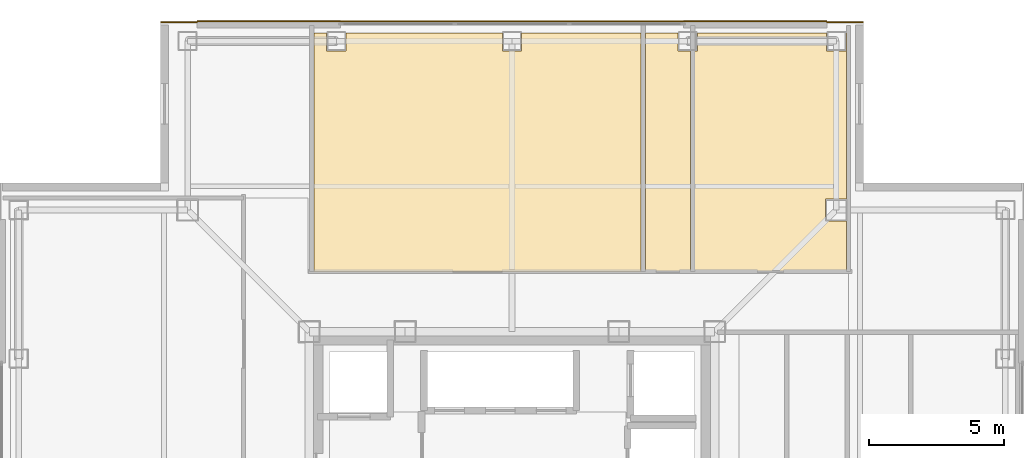
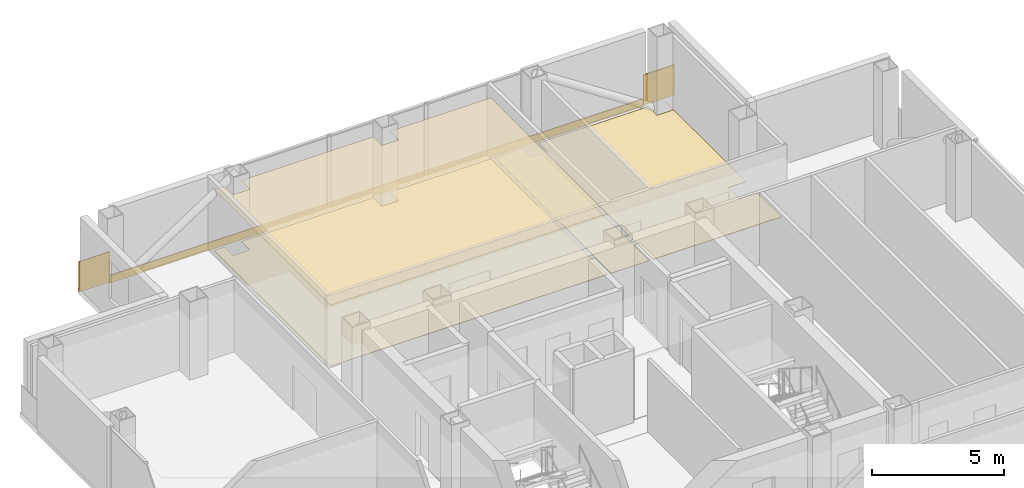
# One storey, part 16 of 16: 7 coverings.
"""IFC4 building model written with IfcOpenShell, lengths in metres."""

import ifcopenshell
import ifcopenshell.guid

model = None  # the IFC model being written
_history = None  # IfcOwnerHistory: only IFC2X3 demands one
_inside = {}  # id of a spatial element -> (the spatial element, [elements in it])
_under = {}  # id of a project, library or spatial element -> (it, [spatial elements below it])
_declared = {}  # id of a project -> (the project, [libraries it declares])
_typed = {}  # id of a type object -> (the type object, [elements of that type])
_made_of = {}  # id of a material, layer set ... -> (it, [elements and type objects made of it])


def new_model(schema):
    """Start an empty IFC model of exactly this schema.

    Asked for "IFC4X3", IfcOpenShell would pick the latest addendum, in which some entities
    have other attributes; the version numbers below select the first issue.
    IFC2X3 requires an IfcOwnerHistory on every rooted entity: one is made here for all.
    """
    global model, _history
    if schema == "IFC4X3":
        model = ifcopenshell.file(schema_version=(4, 3, 0, 0))
    else:
        model = ifcopenshell.file(schema=schema)
    _inside.clear()
    _under.clear()
    _declared.clear()
    _typed.clear()
    _made_of.clear()
    _history = None
    if model.schema == "IFC2X3":
        org = make("IfcOrganization", Name="unknown")
        user = make(
            "IfcPersonAndOrganization",
            ThePerson=make("IfcPerson", FamilyName="unknown"),
            TheOrganization=org,
        )
        app = make(
            "IfcApplication",
            ApplicationDeveloper=org,
            Version="unknown",
            ApplicationFullName="unknown",
            ApplicationIdentifier="unknown",
        )
        _history = make(
            "IfcOwnerHistory",
            OwningUser=user,
            OwningApplication=app,
            ChangeAction="ADDED",
            CreationDate=0,
        )
    return model


def make(cls, **values):
    """One entity of the class cls with the attributes given. An attribute that is None is left unset."""
    return model.create_entity(
        cls, **{name: value for name, value in values.items() if value is not None}
    )


def rooted(cls, **values):
    """An entity with a GlobalId (a new one), such as an element, a storey or a relation."""
    return make(cls, GlobalId=ifcopenshell.guid.new(), OwnerHistory=_history, **values)


def si_unit(unit_type, name, prefix=None):
    """IfcSIUnit, for example si_unit("LENGTHUNIT", "METRE", prefix="MILLI")."""
    return make("IfcSIUnit", UnitType=unit_type, Prefix=prefix, Name=name)


def assignment(units):
    """IfcUnitAssignment: the units of a project."""
    return None if units is None else make("IfcUnitAssignment", Units=units)


def point(xyz):
    """IfcCartesianPoint."""
    return None if xyz is None else make("IfcCartesianPoint", Coordinates=xyz)


def direction(xyz):
    """IfcDirection."""
    return None if xyz is None else make("IfcDirection", DirectionRatios=xyz)


def frame(location, z_axis=None, x_axis=None):
    """IfcAxis2Placement3D, a coordinate frame: its origin and axes. An axis left out is left unset."""
    return make(
        "IfcAxis2Placement3D",
        Location=point(location),
        Axis=direction(z_axis),
        RefDirection=direction(x_axis),
    )


def frame_2d(location, x_axis=None):
    """IfcAxis2Placement2D, a coordinate frame in the plane: its origin and x axis."""
    return make(
        "IfcAxis2Placement2D", Location=point(location), RefDirection=direction(x_axis)
    )


def origin():
    """The frame at (0, 0, 0) with its axes left unset."""
    return frame((0.0, 0.0, 0.0))


def place(relative_to, where):
    """IfcLocalPlacement: puts the frame where relative to a parent placement (None: the world)."""
    return make(
        "IfcLocalPlacement", PlacementRelTo=relative_to, RelativePlacement=where
    )


def context(
    kind, dimensions, precision=None, world=None, true_north=None, identifier=None
):
    """IfcGeometricRepresentationContext, for example the 3D "Model" context."""
    return make(
        "IfcGeometricRepresentationContext",
        ContextIdentifier=identifier,
        ContextType=kind,
        CoordinateSpaceDimension=dimensions,
        Precision=precision,
        WorldCoordinateSystem=world,
        TrueNorth=true_north,
    )


def subcontext(parent, identifier, kind, view, scale=None):
    """IfcGeometricRepresentationSubContext, for example "Body" below "Model"."""
    return make(
        "IfcGeometricRepresentationSubContext",
        ContextIdentifier=identifier,
        ContextType=kind,
        ParentContext=parent,
        TargetScale=scale,
        TargetView=view,
    )


def project(units=None, contexts=None):
    """IfcProject with its units and contexts."""
    return rooted(
        "IfcProject",
        Name="project",
        RepresentationContexts=contexts,
        UnitsInContext=assignment(units),
    )


def spatial(cls, under=None, at=None, **own):
    """A site, building, storey or space (cls), placed at a placement, below another one or the project."""
    s = rooted(cls, ObjectPlacement=at, **own)
    if under is not None:
        _under.setdefault(under.id(), (under, []))[1].append(s)
    return s


def polyline(points):
    """IfcPolyline through the points."""
    return make("IfcPolyline", Points=[point(p) for p in points])


def profile(cls, at=None, kind="AREA", **sizes):
    """A parametric profile (cls). Its sizes go by their IFC names, for example OverallWidth=200.0."""
    return make(cls, ProfileType=kind, Position=at, **sizes)


def rectangle(**sizes):
    """IfcRectangleProfileDef."""
    return profile("IfcRectangleProfileDef", **sizes)


def outline(outer, holes=None, kind="AREA"):
    """IfcArbitraryClosedProfileDef: a profile drawn as a closed curve; with holes, ...WithVoids."""
    if holes is None:
        return make("IfcArbitraryClosedProfileDef", ProfileType=kind, OuterCurve=outer)
    return make(
        "IfcArbitraryProfileDefWithVoids",
        ProfileType=kind,
        OuterCurve=outer,
        InnerCurves=holes,
    )


def extrude(swept, where, along, depth):
    """IfcExtrudedAreaSolid: the profile swept, set in the frame where, extruded along a direction by depth."""
    return make(
        "IfcExtrudedAreaSolid",
        SweptArea=swept,
        Position=where,
        ExtrudedDirection=direction(along),
        Depth=depth,
    )


def shape(context_of_items, identifier, shape_type, items):
    """IfcShapeRepresentation: the items that make up one representation, for example the "Body"."""
    return make(
        "IfcShapeRepresentation",
        ContextOfItems=context_of_items,
        RepresentationIdentifier=identifier,
        RepresentationType=shape_type,
        Items=items,
    )


def material(Name=None, Category=None):
    """IfcMaterial."""
    return make("IfcMaterial", Name=Name, Category=Category)


def layer(
    of_material, thickness, ventilated=None, Name=None, Category=None, Priority=None
):
    """IfcMaterialLayer: one layer of a wall or slab, of a material (None: an air gap)."""
    return make(
        "IfcMaterialLayer",
        Material=of_material,
        LayerThickness=thickness,
        IsVentilated=ventilated,
        Name=Name,
        Category=Category,
        Priority=Priority,
    )


def layer_set(layers, Name=None):
    """IfcMaterialLayerSet."""
    return make("IfcMaterialLayerSet", MaterialLayers=layers, LayerSetName=Name)


def made_of(thing, what):
    """Note that an element or type object is made of a material, layer set ...; save() writes the relation."""
    if what is not None:
        _made_of.setdefault(what.id(), (what, []))[1].append(thing)
    return thing


def type_object(cls, material=None, **own):
    """A type object (cls), such as IfcWallType, which elements share."""
    return made_of(rooted(cls, **own), material)


def element(
    cls,
    number,
    at=None,
    inside=None,
    cuts=None,
    type_object=None,
    material=None,
    context=None,
    identifier="Body",
    shape_type=None,
    held_by="IfcProductDefinitionShape",
    body=None,
    shapes=None,
    **own,
):
    """One element of the class cls, such as IfcWall. Its Tag is "e" and its number.

    at: its placement. inside: the storey or other place that contains it. cuts: it is an
    opening in that element (IfcRelVoidsElement). A single representation is given by context,
    identifier, shape_type and body (its items); several are given by shapes. held_by: the class
    of the entity that holds the representations. save() writes the other relations.
    """
    e = rooted(cls, Tag="e%d" % number, ObjectPlacement=at, **own)
    if body is not None:
        shapes = [shape(context, identifier, shape_type, body)]
    if shapes is not None:
        e.Representation = make(held_by, Representations=shapes)
    if inside is not None:
        _inside.setdefault(inside.id(), (inside, []))[1].append(e)
    if cuts is not None:
        rooted(
            "IfcRelVoidsElement", RelatingBuildingElement=cuts, RelatedOpeningElement=e
        )
    if type_object is not None:
        _typed.setdefault(type_object.id(), (type_object, []))[1].append(e)
    return made_of(e, material)


def aggregate(whole, parts):
    """IfcRelAggregates: a whole, such as a stair, and the parts it consists of."""
    return rooted("IfcRelAggregates", RelatingObject=whole, RelatedObjects=parts)


def save(model, path):
    """Write the relations noted so far, then the file.

    IfcRelAggregates (storeys below a building ...), IfcRelContainedInSpatialStructure (elements
    in a storey), IfcRelDefinesByType, IfcRelAssociatesMaterial and IfcRelDeclares: one each for
    every whole, place, type object, material and project.
    """
    for whole, parts in _under.values():
        aggregate(whole, parts)
    for where, things in _inside.values():
        rooted(
            "IfcRelContainedInSpatialStructure",
            RelatedElements=things,
            RelatingStructure=where,
        )
    for kind, things in _typed.values():
        rooted("IfcRelDefinesByType", RelatedObjects=things, RelatingType=kind)
    for what, things in _made_of.values():
        rooted("IfcRelAssociatesMaterial", RelatedObjects=things, RelatingMaterial=what)
    for by, libraries in _declared.values():
        rooted("IfcRelDeclares", RelatingContext=by, RelatedDefinitions=libraries)
    model.write(path)


model = new_model("IFC4")

# Units and contexts
model_context = context("Model", 3, precision=1e-05, world=origin(), true_north=direction((0.0, 1.0)))
body_context = subcontext(model_context, "Body", "Model", "MODEL_VIEW")
ifc_project = project(units=[si_unit("LENGTHUNIT", "METRE"), si_unit("AREAUNIT", "SQUARE_METRE"), si_unit("VOLUMEUNIT", "CUBIC_METRE"), si_unit("PLANEANGLEUNIT", "RADIAN"), si_unit("MASSUNIT", "GRAM", prefix="KILO")], contexts=[model_context])

# Site, building, storey
site_placement = place(None, origin())
site = spatial("IfcSite", under=ifc_project, at=site_placement, CompositionType="ELEMENT")
building_placement = place(site_placement, origin())
building = spatial("IfcBuilding", under=site, at=building_placement, Name="Trevonay Congress Spire", CompositionType="ELEMENT")
storey_placement = place(building_placement, frame((0.0, 0.0, 257.60009765625)))
storey = spatial("IfcBuildingStorey", under=building, at=storey_placement, Name="L67", CompositionType="ELEMENT", Elevation=257.60009765625)

# Coverings
ifc_material_1 = material(Name="Acoustic Mineral Fibre Board", Category="gypsum")
ifc_layer_1 = layer(ifc_material_1, 0.02490234375, Name="Acoustic Mineral Fibre Board")
ifc_layer_set_1 = layer_set([ifc_layer_1], Name="Acoustic Mineral Fibre Board")
covering_type_1 = type_object("IfcCoveringType", Name="COV-CEIL-ACOUSTIC", PredefinedType="CEILING", material=ifc_layer_set_1)
covering_1_placement = place(storey_placement, frame((0.0, 0.0, 2.809814453125)))
element("IfcCovering", 1, at=covering_1_placement, inside=storey, type_object=covering_type_1, Name="L67 Sky Cocktail Lounge Bar acoustic suspended ceiling", PredefinedType="CEILING", context=body_context, shape_type="SweptSolid", body=[
    extrude(outline(polyline([(4.77001953125, 18.550048828125), (4.77001953125, 9.72998046875), (-7.320068359375, 9.72998046875), (-7.320068359375, 18.550048828125), (-6.860107421875, 18.550048828125), (-6.860107421875, 17.889892578125), (-6.139892578125, 17.889892578125), (-6.139892578125, 18.550048828125), (-0.360107421875, 18.550048828125), (-0.360107421875, 17.889892578125), (0.360107421875, 17.889892578125), (0.360107421875, 18.550048828125), (4.77001953125, 18.550048828125)])), origin(), (0.0, 0.0, 1.0), 0.025146484375),
])
ifc_material_2 = material(Name="Polished Granite Floor Tile", Category="masonry")
ifc_layer_2 = layer(ifc_material_2, 0.02001953125, Name="Polished Granite Floor Tile")
ifc_layer_set_2 = layer_set([ifc_layer_2], Name="Polished Granite Floor Tile")
covering_type_2 = type_object("IfcCoveringType", Name="COV-FLOOR-STONE", PredefinedType="FLOORING", material=ifc_layer_set_2)
covering_2_placement = place(storey_placement, origin())
element("IfcCovering", 2, at=covering_2_placement, inside=storey, type_object=covering_type_2, Name="L67 Sky Cocktail Lounge Bar floor finish", PredefinedType="FLOORING", context=body_context, shape_type="SweptSolid", body=[
    extrude(outline(polyline([(4.77001953125, 18.550048828125), (4.77001953125, 9.72998046875), (-7.320068359375, 9.72998046875), (-7.320068359375, 18.550048828125), (-6.860107421875, 18.550048828125), (-6.860107421875, 17.889892578125), (-6.139892578125, 17.889892578125), (-6.139892578125, 18.550048828125), (-0.360107421875, 18.550048828125), (-0.360107421875, 17.889892578125), (0.360107421875, 17.889892578125), (0.360107421875, 18.550048828125), (4.77001953125, 18.550048828125)])), origin(), (0.0, 0.0, 1.0), 0.02001953125),
])
covering_3_placement = place(storey_placement, origin())
element("IfcCovering", 3, at=covering_3_placement, inside=storey, type_object=covering_type_2, Name="L67 Accessible WC floor finish", PredefinedType="FLOORING", context=body_context, shape_type="SweptSolid", body=[
    extrude(outline(polyline([(6.60009765625, 9.72998046875), (4.929931640625, 9.72998046875), (4.929931640625, 18.550048828125), (6.139892578125, 18.550048828125), (6.139892578125, 17.889892578125), (6.60009765625, 17.889892578125), (6.60009765625, 9.72998046875)])), origin(), (0.0, 0.0, 1.0), 0.02001953125),
])
covering_4_placement = place(storey_placement, origin())
element("IfcCovering", 4, at=covering_4_placement, inside=storey, type_object=covering_type_2, Name="L67 Floor Supplies and Copy Room floor finish", PredefinedType="FLOORING", context=body_context, shape_type="SweptSolid", body=[
    extrude(outline(polyline([(12.3701171875, 9.72998046875), (6.760009765625, 9.72998046875), (6.760009765625, 17.889892578125), (6.860107421875, 17.889892578125), (6.860107421875, 18.550048828125), (11.639892578125, 18.550048828125), (11.639892578125, 17.889892578125), (12.360107421875, 17.889892578125), (12.360107421875, 18.550048828125), (12.3701171875, 18.550048828125), (12.3701171875, 12.409912109375), (11.590087890625, 12.409912109375), (11.590087890625, 11.590087890625), (12.3701171875, 11.590087890625), (12.3701171875, 9.72998046875)])), origin(), (0.0, 0.0, 1.0), 0.02001953125),
])
ifc_material_3 = material(Name="Pale Anodised Aluminium EN AW-6063-T6", Category="aluminium")
ifc_layer_3 = layer(ifc_material_3, 0.0400390625, Name="Pale Anodised Aluminium EN AW-6063-T6")
ifc_layer_set_3 = layer_set([ifc_layer_3], Name="Pale Anodised Aluminium EN AW-6063-T6")
covering_type_3 = type_object("IfcCoveringType", Name="COV-SPANDREL-PALE-METAL", PredefinedType="CLADDING", material=ifc_layer_set_3)
covering_5_placement = place(storey_placement, frame((-11.64990234375, 18.97998046875, -0.239990234375), z_axis=(0.0, 0.0, 1.0), x_axis=(1.0, 0.0, 0.0)))
element("IfcCovering", 5, at=covering_5_placement, inside=storey, type_object=covering_type_3, Name="L67 N pale-metal slab-edge spandrel cladding", PredefinedType="CLADDING", context=body_context, shape_type="SweptSolid", body=[
    extrude(rectangle(XDim=23.2998046875, YDim=0.0400390625, at=frame_2d((11.64990234375, 0.0))), origin(), (0.0, 0.0, 1.0), 0.35986328125),
])
for number, where, z_axis, x_axis, name in (
    (6, (11.64990234375, 18.93994140625, -0.150146484375), (0.0, 0.0, 1.0), (1.0, 0.0, 0.0), "L67 NE corner pier spandrel cladding 2"),
    (7, (-11.64990234375, 18.93994140625, -0.150146484375), (0.0, 0.0, 1.0), (-1.0, 0.0, 0.0), "L67 NW corner pier spandrel cladding 2"),
):
    element("IfcCovering", number, at=place(storey_placement, frame(where, z_axis=z_axis, x_axis=x_axis)), inside=storey, type_object=covering_type_3, Name=name, PredefinedType="CLADDING", context=body_context, shape_type="SweptSolid", body=[
        extrude(rectangle(XDim=1.35009765625, YDim=0.0400390625, at=frame_2d((0.675048828125, 0.0))), origin(), (0.0, 0.0, 1.0), 1.400146484375),
    ])

save(model, "model.ifc")
